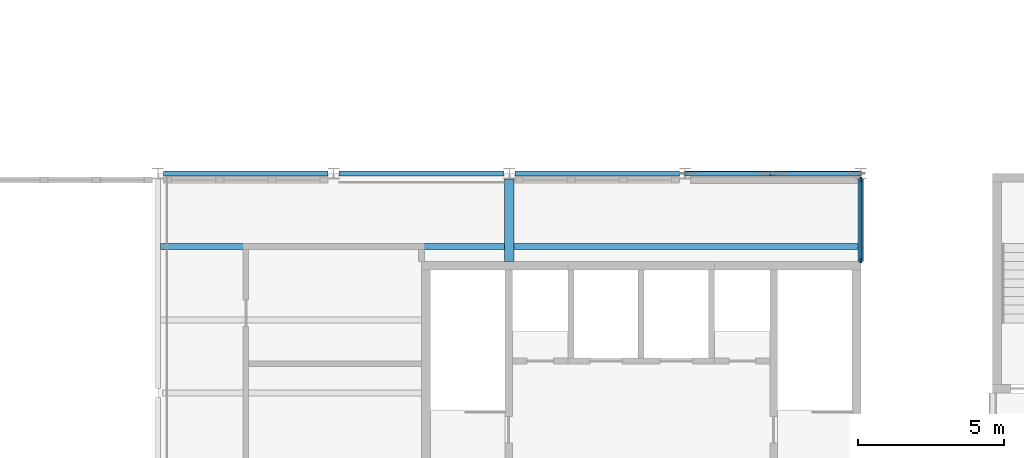
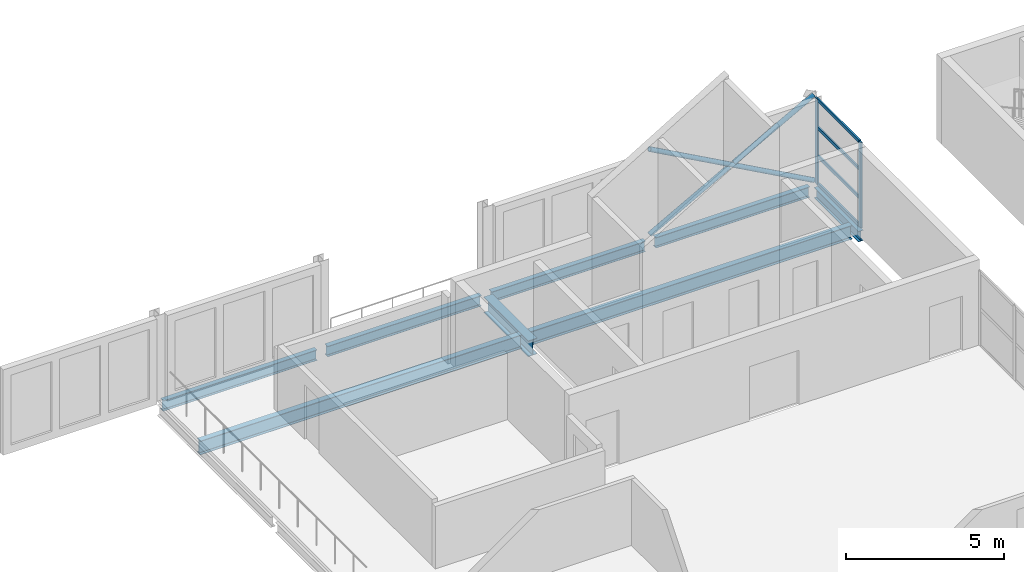
# One storey, part 43 of 214: 9 members, 8 beams, 1 element without a shape of its own.
"""IFC4 building model written with IfcOpenShell, lengths in metres."""

import ifcopenshell
import ifcopenshell.guid

model = None  # the IFC model being written
_history = None  # IfcOwnerHistory: only IFC2X3 demands one
_inside = {}  # id of a spatial element -> (the spatial element, [elements in it])
_under = {}  # id of a project, library or spatial element -> (it, [spatial elements below it])
_declared = {}  # id of a project -> (the project, [libraries it declares])
_typed = {}  # id of a type object -> (the type object, [elements of that type])
_made_of = {}  # id of a material, layer set ... -> (it, [elements and type objects made of it])


def new_model(schema):
    """Start an empty IFC model of exactly this schema.

    Asked for "IFC4X3", IfcOpenShell would pick the latest addendum, in which some entities
    have other attributes; the version numbers below select the first issue.
    IFC2X3 requires an IfcOwnerHistory on every rooted entity: one is made here for all.
    """
    global model, _history
    if schema == "IFC4X3":
        model = ifcopenshell.file(schema_version=(4, 3, 0, 0))
    else:
        model = ifcopenshell.file(schema=schema)
    _inside.clear()
    _under.clear()
    _declared.clear()
    _typed.clear()
    _made_of.clear()
    _history = None
    if model.schema == "IFC2X3":
        org = make("IfcOrganization", Name="unknown")
        user = make(
            "IfcPersonAndOrganization",
            ThePerson=make("IfcPerson", FamilyName="unknown"),
            TheOrganization=org,
        )
        app = make(
            "IfcApplication",
            ApplicationDeveloper=org,
            Version="unknown",
            ApplicationFullName="unknown",
            ApplicationIdentifier="unknown",
        )
        _history = make(
            "IfcOwnerHistory",
            OwningUser=user,
            OwningApplication=app,
            ChangeAction="ADDED",
            CreationDate=0,
        )
    return model


def make(cls, **values):
    """One entity of the class cls with the attributes given. An attribute that is None is left unset."""
    return model.create_entity(
        cls, **{name: value for name, value in values.items() if value is not None}
    )


def rooted(cls, **values):
    """An entity with a GlobalId (a new one), such as an element, a storey or a relation."""
    return make(cls, GlobalId=ifcopenshell.guid.new(), OwnerHistory=_history, **values)


def si_unit(unit_type, name, prefix=None):
    """IfcSIUnit, for example si_unit("LENGTHUNIT", "METRE", prefix="MILLI")."""
    return make("IfcSIUnit", UnitType=unit_type, Prefix=prefix, Name=name)


def assignment(units):
    """IfcUnitAssignment: the units of a project."""
    return None if units is None else make("IfcUnitAssignment", Units=units)


def point(xyz):
    """IfcCartesianPoint."""
    return None if xyz is None else make("IfcCartesianPoint", Coordinates=xyz)


def direction(xyz):
    """IfcDirection."""
    return None if xyz is None else make("IfcDirection", DirectionRatios=xyz)


def frame(location, z_axis=None, x_axis=None):
    """IfcAxis2Placement3D, a coordinate frame: its origin and axes. An axis left out is left unset."""
    return make(
        "IfcAxis2Placement3D",
        Location=point(location),
        Axis=direction(z_axis),
        RefDirection=direction(x_axis),
    )


def frame_2d(location, x_axis=None):
    """IfcAxis2Placement2D, a coordinate frame in the plane: its origin and x axis."""
    return make(
        "IfcAxis2Placement2D", Location=point(location), RefDirection=direction(x_axis)
    )


def origin():
    """The frame at (0, 0, 0) with its axes left unset."""
    return frame((0.0, 0.0, 0.0))


def origin_2d():
    """The frame at (0, 0) in the plane with its x axis left unset."""
    return frame_2d((0.0, 0.0))


def place(relative_to, where):
    """IfcLocalPlacement: puts the frame where relative to a parent placement (None: the world)."""
    return make(
        "IfcLocalPlacement", PlacementRelTo=relative_to, RelativePlacement=where
    )


def context(
    kind, dimensions, precision=None, world=None, true_north=None, identifier=None
):
    """IfcGeometricRepresentationContext, for example the 3D "Model" context."""
    return make(
        "IfcGeometricRepresentationContext",
        ContextIdentifier=identifier,
        ContextType=kind,
        CoordinateSpaceDimension=dimensions,
        Precision=precision,
        WorldCoordinateSystem=world,
        TrueNorth=true_north,
    )


def subcontext(parent, identifier, kind, view, scale=None):
    """IfcGeometricRepresentationSubContext, for example "Body" below "Model"."""
    return make(
        "IfcGeometricRepresentationSubContext",
        ContextIdentifier=identifier,
        ContextType=kind,
        ParentContext=parent,
        TargetScale=scale,
        TargetView=view,
    )


def project(units=None, contexts=None):
    """IfcProject with its units and contexts."""
    return rooted(
        "IfcProject",
        Name="project",
        RepresentationContexts=contexts,
        UnitsInContext=assignment(units),
    )


def spatial(cls, under=None, at=None, **own):
    """A site, building, storey or space (cls), placed at a placement, below another one or the project."""
    s = rooted(cls, ObjectPlacement=at, **own)
    if under is not None:
        _under.setdefault(under.id(), (under, []))[1].append(s)
    return s


def profile(cls, at=None, kind="AREA", **sizes):
    """A parametric profile (cls). Its sizes go by their IFC names, for example OverallWidth=200.0."""
    return make(cls, ProfileType=kind, Position=at, **sizes)


def rectangle(**sizes):
    """IfcRectangleProfileDef."""
    return profile("IfcRectangleProfileDef", **sizes)


def hollow_circle(**sizes):
    """IfcCircleHollowProfileDef."""
    return profile("IfcCircleHollowProfileDef", **sizes)


def i_section(**sizes):
    """IfcIShapeProfileDef."""
    return profile("IfcIShapeProfileDef", **sizes)


def extrude(swept, where, along, depth):
    """IfcExtrudedAreaSolid: the profile swept, set in the frame where, extruded along a direction by depth."""
    return make(
        "IfcExtrudedAreaSolid",
        SweptArea=swept,
        Position=where,
        ExtrudedDirection=direction(along),
        Depth=depth,
    )


def shape(context_of_items, identifier, shape_type, items):
    """IfcShapeRepresentation: the items that make up one representation, for example the "Body"."""
    return make(
        "IfcShapeRepresentation",
        ContextOfItems=context_of_items,
        RepresentationIdentifier=identifier,
        RepresentationType=shape_type,
        Items=items,
    )


def material(Name=None, Category=None):
    """IfcMaterial."""
    return make("IfcMaterial", Name=Name, Category=Category)


def material_profile(
    of_material, cross_section, Name=None, Category=None, Priority=None
):
    """IfcMaterialProfile: a cross section and its material."""
    return make(
        "IfcMaterialProfile",
        Name=Name,
        Material=of_material,
        Profile=cross_section,
        Priority=Priority,
        Category=Category,
    )


def profile_set(profiles, Name=None, composite=None):
    """IfcMaterialProfileSet."""
    return make(
        "IfcMaterialProfileSet",
        Name=Name,
        MaterialProfiles=profiles,
        CompositeProfile=composite,
    )


def made_of(thing, what):
    """Note that an element or type object is made of a material, layer set ...; save() writes the relation."""
    if what is not None:
        _made_of.setdefault(what.id(), (what, []))[1].append(thing)
    return thing


def type_object(cls, material=None, **own):
    """A type object (cls), such as IfcWallType, which elements share."""
    return made_of(rooted(cls, **own), material)


def element(
    cls,
    number,
    at=None,
    inside=None,
    cuts=None,
    type_object=None,
    material=None,
    context=None,
    identifier="Body",
    shape_type=None,
    held_by="IfcProductDefinitionShape",
    body=None,
    shapes=None,
    **own,
):
    """One element of the class cls, such as IfcWall. Its Tag is "e" and its number.

    at: its placement. inside: the storey or other place that contains it. cuts: it is an
    opening in that element (IfcRelVoidsElement). A single representation is given by context,
    identifier, shape_type and body (its items); several are given by shapes. held_by: the class
    of the entity that holds the representations. save() writes the other relations.
    """
    e = rooted(cls, Tag="e%d" % number, ObjectPlacement=at, **own)
    if body is not None:
        shapes = [shape(context, identifier, shape_type, body)]
    if shapes is not None:
        e.Representation = make(held_by, Representations=shapes)
    if inside is not None:
        _inside.setdefault(inside.id(), (inside, []))[1].append(e)
    if cuts is not None:
        rooted(
            "IfcRelVoidsElement", RelatingBuildingElement=cuts, RelatedOpeningElement=e
        )
    if type_object is not None:
        _typed.setdefault(type_object.id(), (type_object, []))[1].append(e)
    return made_of(e, material)


def aggregate(whole, parts):
    """IfcRelAggregates: a whole, such as a stair, and the parts it consists of."""
    return rooted("IfcRelAggregates", RelatingObject=whole, RelatedObjects=parts)


def save(model, path):
    """Write the relations noted so far, then the file.

    IfcRelAggregates (storeys below a building ...), IfcRelContainedInSpatialStructure (elements
    in a storey), IfcRelDefinesByType, IfcRelAssociatesMaterial and IfcRelDeclares: one each for
    every whole, place, type object, material and project.
    """
    for whole, parts in _under.values():
        aggregate(whole, parts)
    for where, things in _inside.values():
        rooted(
            "IfcRelContainedInSpatialStructure",
            RelatedElements=things,
            RelatingStructure=where,
        )
    for kind, things in _typed.values():
        rooted("IfcRelDefinesByType", RelatedObjects=things, RelatingType=kind)
    for what, things in _made_of.values():
        rooted("IfcRelAssociatesMaterial", RelatedObjects=things, RelatingMaterial=what)
    for by, libraries in _declared.values():
        rooted("IfcRelDeclares", RelatingContext=by, RelatedDefinitions=libraries)
    model.write(path)


model = new_model("IFC4")

# Units and contexts
model_context = context("Model", 3, precision=1e-05, world=origin(), true_north=direction((0.0, 1.0)))
body_context = subcontext(model_context, "Body", "Model", "MODEL_VIEW")
ifc_project = project(units=[si_unit("LENGTHUNIT", "METRE"), si_unit("AREAUNIT", "SQUARE_METRE"), si_unit("VOLUMEUNIT", "CUBIC_METRE"), si_unit("PLANEANGLEUNIT", "RADIAN"), si_unit("MASSUNIT", "GRAM", prefix="KILO")], contexts=[model_context])

# Site, building, storey
site_placement = place(None, origin())
site = spatial("IfcSite", under=ifc_project, at=site_placement, CompositionType="ELEMENT")
building_placement = place(site_placement, origin())
building = spatial("IfcBuilding", under=site, at=building_placement, Name="Parallax Yard Mobility Hub", CompositionType="ELEMENT")
storey_placement = place(building_placement, frame((0.0, 0.0, 3.300048828125)))
storey = spatial("IfcBuildingStorey", under=building, at=storey_placement, Name="L01", CompositionType="ELEMENT", Elevation=3.300048828125)

# Curtain wall, members
ifc_material_1 = material(Name="Thermally broken aluminium curtain wall system", Category="aluminium")
curtain_wall_type = type_object("IfcCurtainWallType", Name="Curtain wall run 60 x 160 frame", PredefinedType="NOTDEFINED", material=ifc_material_1)
curtain_wall_placement = place(storey_placement, origin())
curtain_wall = element("IfcCurtainWall", 1, at=curtain_wall_placement, inside=storey, type_object=curtain_wall_type, Name="Curtain wall run Bus and taxi deck east end bay 2 level L01", PredefinedType="NOTDEFINED")
ifc_material_2 = material(Name="Extruded aluminium", Category="aluminium")
ifc_material_profile_1 = material_profile(ifc_material_2, rectangle(XDim=0.06005859375, YDim=0.159912109375, at=origin_2d()), Name="Mullion 60 x 160")
ifc_profile_set_1 = profile_set([ifc_material_profile_1], Name="Extruded aluminium")
member_type_1 = type_object("IfcMemberType", Name="Mullion 60 x 160", PredefinedType="MULLION", material=ifc_profile_set_1)
member_1_placement = place(storey_placement, frame((93.0, 49.530029296875, 0.0), z_axis=(0.0, 0.0, 1.0), x_axis=(-1.0, 0.0, 0.0)))
member_1 = element("IfcMember", 2, at=member_1_placement, type_object=member_type_1, Name="CW1 mullion 1", PredefinedType="MULLION", context=body_context, shape_type="SweptSolid", body=[
    extrude(rectangle(XDim=0.06005859375, YDim=0.159912109375, at=origin_2d()), origin(), (0.0, 0.0, 1.0), 3.300048828125),
])
member_2_placement = place(storey_placement, frame((93.0, 52.283447265625, 0.0), z_axis=(0.0, 0.0, 1.0), x_axis=(-1.0, 0.0, 0.0)))
member_2 = element("IfcMember", 3, at=member_2_placement, type_object=member_type_1, Name="CW1 mullion 2", PredefinedType="MULLION", context=body_context, shape_type="SweptSolid", body=[
    extrude(rectangle(XDim=0.06005859375, YDim=0.159912109375, at=origin_2d()), origin(), (0.0, 0.0, 1.0), 3.300048828125),
])
ifc_material_profile_2 = material_profile(ifc_material_2, rectangle(XDim=0.06005859375, YDim=0.1201171875, at=origin_2d()), Name="Transom 60 x 120")
ifc_profile_set_2 = profile_set([ifc_material_profile_2], Name="Extruded aluminium")
member_type_2 = type_object("IfcMemberType", Name="Transom 60 x 120", PredefinedType="USERDEFINED", material=ifc_profile_set_2)
member_3_placement = place(storey_placement, frame((93.0, 49.56005859375, 0.030029296875), z_axis=(0.0, 1.0, 0.0), x_axis=(-1.0, 0.0, 0.0)))
member_3 = element("IfcMember", 4, at=member_3_placement, type_object=member_type_2, Name="CW1 transom 1.1", ObjectType="TRANSOM", PredefinedType="USERDEFINED", context=body_context, shape_type="SweptSolid", body=[
    extrude(rectangle(XDim=0.06005859375, YDim=0.1201171875, at=origin_2d()), origin(), (0.0, 0.0, 1.0), 2.693359375),
])
member_4_placement = place(storey_placement, frame((93.0, 49.56005859375, 1.099853515625), z_axis=(0.0, 1.0, 0.0), x_axis=(-1.0, 0.0, 0.0)))
member_4 = element("IfcMember", 5, at=member_4_placement, type_object=member_type_2, Name="CW1 transom 1.2", ObjectType="TRANSOM", PredefinedType="USERDEFINED", context=body_context, shape_type="SweptSolid", body=[
    extrude(rectangle(XDim=0.06005859375, YDim=0.1201171875, at=origin_2d()), origin(), (0.0, 0.0, 1.0), 2.693359375),
])
member_5_placement = place(storey_placement, frame((93.0, 49.56005859375, 2.199951171875), z_axis=(0.0, 1.0, 0.0), x_axis=(-1.0, 0.0, 0.0)))
member_5 = element("IfcMember", 6, at=member_5_placement, type_object=member_type_2, Name="CW1 transom 1.3", ObjectType="TRANSOM", PredefinedType="USERDEFINED", context=body_context, shape_type="SweptSolid", body=[
    extrude(rectangle(XDim=0.06005859375, YDim=0.1201171875, at=origin_2d()), origin(), (0.0, 0.0, 1.0), 2.693359375),
])
member_6_placement = place(storey_placement, frame((93.0, 49.56005859375, 3.27001953125), z_axis=(0.0, 1.0, 0.0), x_axis=(-1.0, 0.0, 0.0)))
member_6 = element("IfcMember", 7, at=member_6_placement, type_object=member_type_2, Name="CW1 transom 1.4", ObjectType="TRANSOM", PredefinedType="USERDEFINED", context=body_context, shape_type="SweptSolid", body=[
    extrude(rectangle(XDim=0.06005859375, YDim=0.1201171875, at=origin_2d()), origin(), (0.0, 0.0, 1.0), 2.693359375),
])
aggregate(curtain_wall, [member_1, member_2, member_3, member_4, member_5, member_6])

# Beams
ifc_material_3 = material(Name="Steel ASTM A992", Category="steel")
ifc_material_profile_3 = material_profile(ifc_material_3, i_section(OverallWidth=0.177978515625, OverallDepth=0.406005859375, WebThickness=0.0078125, FlangeThickness=0.0126953125, FilletRadius=0.01025390625, at=origin_2d()), Name="W410x60")
ifc_profile_set_3 = profile_set([ifc_material_profile_3], Name="Steel ASTM A992")
beam_type_1 = type_object("IfcBeamType", Name="W410x60 edge beam", PredefinedType="SPANDREL", material=ifc_profile_set_3)
beam_1_placement = place(storey_placement, frame((93.0, 49.5, -0.343017578125), z_axis=(0.0, 1.0, 0.0), x_axis=(-1.0, 0.0, 0.0)))
element("IfcBeam", 8, at=beam_1_placement, inside=storey, type_object=beam_type_1, Name="Edge beam SB1 level L01, fold line F15 of bus and taxi deck, span 6", PredefinedType="SPANDREL", context=body_context, shape_type="SweptSolid", body=[
    extrude(i_section(OverallWidth=0.177978515625, OverallDepth=0.406005859375, WebThickness=0.0078125, FlangeThickness=0.0126953125, FilletRadius=0.01025390625, at=origin_2d()), origin(), (0.0, 0.0, 1.0), 2.81591796875),
])
for number, where, z_axis, x_axis, name in (
    (9, (69.1865234375, 52.5, -0.343017578125), (1.0, 0.0, 0.0), (0.0, 1.0, 0.0), "Edge beam SB1 level L01, line H of bus and taxi deck, span 1"),
    (10, (75.1865234375, 52.5, -0.343017578125), (1.0, 0.0, 0.0), (0.0, 1.0, 0.0), "Edge beam SB1 level L01, line H of bus and taxi deck, span 2"),
    (11, (81.1865234375, 52.5, -0.343017578125), (1.0, 0.0, 0.0), (0.0, 1.0, 0.0), "Edge beam SB1 level L01, line H of bus and taxi deck, span 3"),
    (12, (87.1865234375, 52.5, -0.343017578125), (1.0, 0.0, 0.0), (0.0, 1.0, 0.0), "Edge beam SB1 level L01, line H of bus and taxi deck, span 4"),
):
    element("IfcBeam", number, at=place(storey_placement, frame(where, z_axis=z_axis, x_axis=x_axis)), inside=storey, type_object=beam_type_1, Name=name, PredefinedType="SPANDREL", context=body_context, shape_type="SweptSolid", body=[
        extrude(i_section(OverallWidth=0.177978515625, OverallDepth=0.406005859375, WebThickness=0.0078125, FlangeThickness=0.0126953125, FilletRadius=0.01025390625, at=origin_2d()), origin(), (0.0, 0.0, 1.0), 5.626953125),
    ])
ifc_material_profile_4 = material_profile(ifc_material_3, i_section(OverallWidth=0.208984375, OverallDepth=0.532958984375, WebThickness=0.01025390625, FlangeThickness=0.015625, FilletRadius=0.0126953125, at=origin_2d()), Name="W530x92")
ifc_profile_set_4 = profile_set([ifc_material_profile_4], Name="Steel ASTM A992")
beam_type_2 = type_object("IfcBeamType", Name="W530x92 secondary beam", PredefinedType="JOIST", material=ifc_profile_set_4)
for number, where, z_axis, x_axis, name in (
    (13, (69.089111328125, 50.0, -0.406494140625), (1.0, 0.0, 0.0), (0.0, 1.0, 0.0), "Secondary beam B2 level L01, 5 m north of line G of bus and taxi deck, span 1"),
    (14, (81.16259765625, 50.0, -0.406494140625), (1.0, 0.0, 0.0), (0.0, 1.0, 0.0), "Secondary beam B2 level L01, 5 m north of line G of bus and taxi deck, span 2"),
):
    element("IfcBeam", number, at=place(storey_placement, frame(where, z_axis=z_axis, x_axis=x_axis)), inside=storey, type_object=beam_type_2, Name=name, PredefinedType="JOIST", context=body_context, shape_type="SweptSolid", body=[
        extrude(i_section(OverallWidth=0.208984375, OverallDepth=0.532958984375, WebThickness=0.01025390625, FlangeThickness=0.015625, FilletRadius=0.0126953125, at=origin_2d()), origin(), (0.0, 0.0, 1.0), 11.748291015625),
    ])
ifc_material_profile_5 = material_profile(ifc_material_3, i_section(OverallWidth=0.324951171875, OverallDepth=0.612060546875, WebThickness=0.0126953125, FlangeThickness=0.01904296875, FilletRadius=0.0126953125, at=origin_2d()), Name="W610x155")
ifc_profile_set_5 = profile_set([ifc_material_profile_5], Name="Steel ASTM A992")
beam_type_3 = type_object("IfcBeamType", Name="W610x155 girder", PredefinedType="BEAM", material=ifc_profile_set_5)
beam_2_placement = place(storey_placement, frame((81.0, 49.5, -0.446044921875), z_axis=(0.0, 1.0, 0.0), x_axis=(-1.0, 0.0, 0.0)))
element("IfcBeam", 15, at=beam_2_placement, inside=storey, type_object=beam_type_3, Name="Girder G4 level L01, fold line F13 of bus and taxi deck, span 6", PredefinedType="BEAM", context=body_context, shape_type="SweptSolid", body=[
    extrude(i_section(OverallWidth=0.324951171875, OverallDepth=0.612060546875, WebThickness=0.0126953125, FlangeThickness=0.01904296875, FilletRadius=0.0126953125, at=origin_2d()), origin(), (0.0, 0.0, 1.0), 2.81591796875),
])

# Members
ifc_material_4 = material(Name="Steel ASTM A500 Gr C", Category="steel")
ifc_material_profile_6 = material_profile(ifc_material_4, hollow_circle(Radius=0.0888671875, WallThickness=0.0078125, at=origin_2d()), Name="HSS177.8x7.9")
ifc_profile_set_6 = profile_set([ifc_material_profile_6], Name="Steel ASTM A500 Gr C")
member_type_3 = type_object("IfcMemberType", Name="Wall brace HSS177.8x7.9", PredefinedType="BRACE", material=ifc_profile_set_6)
member_7_placement = place(storey_placement, frame((93.0, 52.5, 0.0), z_axis=(-0.876212897641, 0.0, 0.481924224341), x_axis=(0.0, -1.0, 0.0)))
element("IfcMember", 16, at=member_7_placement, inside=storey, type_object=member_type_3, Name="X brace east end bay north face level 1 2", PredefinedType="BRACE", context=body_context, shape_type="SweptSolid", body=[
    extrude(hollow_circle(Radius=0.0888671875, WallThickness=0.0078125, at=origin_2d()), origin(), (0.0, 0.0, 1.0), 6.84765625),
])
for number, where, z_axis, x_axis, name in (
    (17, (87.0, 52.5, 0.0), (0.876220551786, 0.0, 0.481910307659), (0.0, 1.0, 0.0), "X brace east end bay north face level 1 1 (half 1)"),
    (18, (90.081787109375, 52.5, 1.695068359375), (0.876220551786, 0.0, 0.481910307659), (0.0, 1.0, 0.0), "X brace east end bay north face level 1 1 (half 2)"),
):
    element("IfcMember", number, at=place(storey_placement, frame(where, z_axis=z_axis, x_axis=x_axis)), inside=storey, type_object=member_type_3, Name=name, PredefinedType="BRACE", context=body_context, shape_type="SweptSolid", body=[
        extrude(hollow_circle(Radius=0.0888671875, WallThickness=0.0078125, at=origin_2d()), origin(), (0.0, 0.0, 1.0), 3.33056640625),
    ])

save(model, "model.ifc")
